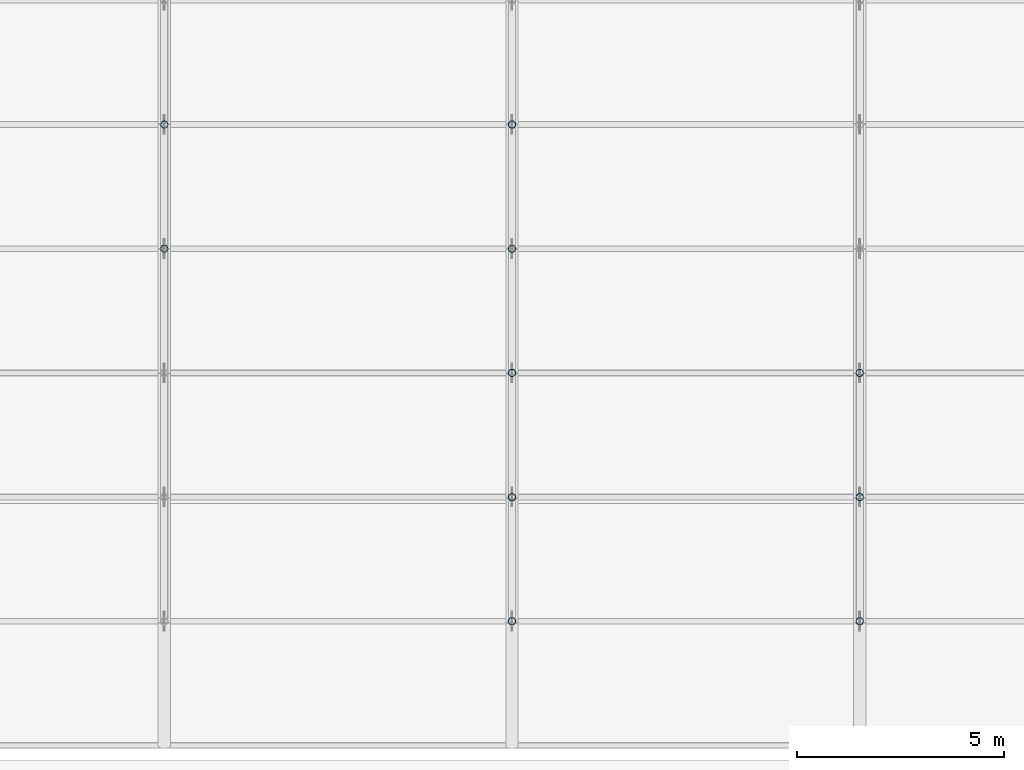
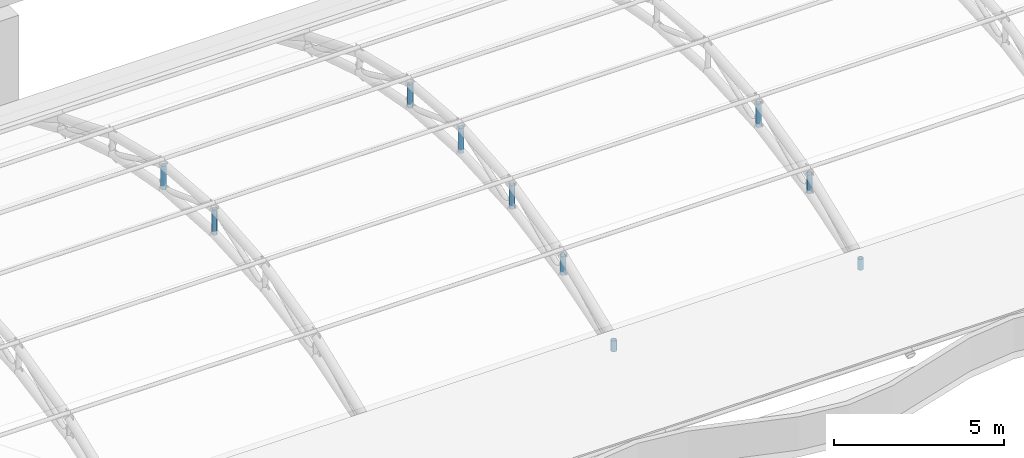
# One storey, part 83 of 163: 10 members.
"""IFC4 building model written with IfcOpenShell, lengths in metres."""

from ifc_helpers import new_model, si_unit, direction, frame, origin, origin_2d, place, context, subcontext, project, spatial, hollow_circle, extrude, material, material_profile, profile_set, type_object, element, save


model = new_model("IFC4")

# Units and contexts
model_context = context("Model", 3, precision=1e-05, world=origin(), true_north=direction((0.0, 1.0)))
body_context = subcontext(model_context, "Body", "Model", "MODEL_VIEW")
ifc_project = project(units=[si_unit("LENGTHUNIT", "METRE"), si_unit("AREAUNIT", "SQUARE_METRE"), si_unit("VOLUMEUNIT", "CUBIC_METRE"), si_unit("PLANEANGLEUNIT", "RADIAN"), si_unit("MASSUNIT", "GRAM", prefix="KILO")], contexts=[model_context])

# Site, building, storey
site_placement = place(None, origin())
site = spatial("IfcSite", under=ifc_project, at=site_placement, CompositionType="ELEMENT")
building_placement = place(site_placement, origin())
building = spatial("IfcBuilding", under=site, at=building_placement, Name="Rain Tree Exposition and Congress Centre", CompositionType="ELEMENT")
storey_placement = place(building_placement, frame((0.0, 0.0, 10.5)))
storey = spatial("IfcBuildingStorey", under=building, at=storey_placement, Name="L02", CompositionType="ELEMENT", Elevation=10.5)

# Members
ifc_material = material(Name="Steel S355J2H", Category="steel")
ifc_material_profile = material_profile(ifc_material, hollow_circle(Radius=0.090087890625, WallThickness=0.008056640625, at=origin_2d()), Name="CHS 180x8")
ifc_profile_set = profile_set([ifc_material_profile], Name="Steel S355J2H")
member_type = type_object("IfcMemberType", Name="Steel post member CHS 180x8", PredefinedType="POST", material=ifc_profile_set)
member_1_placement = place(storey_placement, frame((159.60009765625, 87.60009765625, 3.1298828125), z_axis=(0.0, 0.0, 1.0), x_axis=(1.0, 0.0, 0.0)))
element("IfcMember", 1, at=member_1_placement, inside=storey, type_object=member_type, Name="Roof truss 20 post 4", PredefinedType="POST", context=body_context, shape_type="SweptSolid", body=[
    extrude(hollow_circle(Radius=0.090087890625, WallThickness=0.008056640625, at=origin_2d()), origin(), (0.0, 0.0, 1.0), 0.900146484375),
])
member_2_placement = place(storey_placement, frame((159.60009765625, 90.60009765625, 2.9423828125), z_axis=(0.0, 0.0, 1.0), x_axis=(1.0, 0.0, 0.0)))
element("IfcMember", 2, at=member_2_placement, inside=storey, type_object=member_type, Name="Roof truss 20 post 5", PredefinedType="POST", context=body_context, shape_type="SweptSolid", body=[
    extrude(hollow_circle(Radius=0.090087890625, WallThickness=0.008056640625, at=origin_2d()), origin(), (0.0, 0.0, 1.0), 0.843994140625),
])
member_3_placement = place(storey_placement, frame((168.0, 78.60009765625, 1.4423828125), z_axis=(0.0, 0.0, 1.0), x_axis=(1.0, 0.0, 0.0)))
element("IfcMember", 3, at=member_3_placement, inside=storey, type_object=member_type, Name="Roof truss 21 post 1", PredefinedType="POST", context=body_context, shape_type="SweptSolid", body=[
    extrude(hollow_circle(Radius=0.090087890625, WallThickness=0.008056640625, at=origin_2d()), origin(), (0.0, 0.0, 1.0), 0.393798828125),
])
member_4_placement = place(storey_placement, frame((168.0, 81.60009765625, 2.3798828125), z_axis=(0.0, 0.0, 1.0), x_axis=(1.0, 0.0, 0.0)))
element("IfcMember", 4, at=member_4_placement, inside=storey, type_object=member_type, Name="Roof truss 21 post 2", PredefinedType="POST", context=body_context, shape_type="SweptSolid", body=[
    extrude(hollow_circle(Radius=0.090087890625, WallThickness=0.008056640625, at=origin_2d()), origin(), (0.0, 0.0, 1.0), 0.675048828125),
])
member_5_placement = place(storey_placement, frame((168.0, 84.60009765625, 2.9423828125), z_axis=(0.0, 0.0, 1.0), x_axis=(1.0, 0.0, 0.0)))
element("IfcMember", 5, at=member_5_placement, inside=storey, type_object=member_type, Name="Roof truss 21 post 3", PredefinedType="POST", context=body_context, shape_type="SweptSolid", body=[
    extrude(hollow_circle(Radius=0.090087890625, WallThickness=0.008056640625, at=origin_2d()), origin(), (0.0, 0.0, 1.0), 0.843994140625),
])
member_6_placement = place(storey_placement, frame((168.0, 87.60009765625, 3.1298828125), z_axis=(0.0, 0.0, 1.0), x_axis=(1.0, 0.0, 0.0)))
element("IfcMember", 6, at=member_6_placement, inside=storey, type_object=member_type, Name="Roof truss 21 post 4", PredefinedType="POST", context=body_context, shape_type="SweptSolid", body=[
    extrude(hollow_circle(Radius=0.090087890625, WallThickness=0.008056640625, at=origin_2d()), origin(), (0.0, 0.0, 1.0), 0.900146484375),
])
member_7_placement = place(storey_placement, frame((168.0, 90.60009765625, 2.9423828125), z_axis=(0.0, 0.0, 1.0), x_axis=(1.0, 0.0, 0.0)))
element("IfcMember", 7, at=member_7_placement, inside=storey, type_object=member_type, Name="Roof truss 21 post 5", PredefinedType="POST", context=body_context, shape_type="SweptSolid", body=[
    extrude(hollow_circle(Radius=0.090087890625, WallThickness=0.008056640625, at=origin_2d()), origin(), (0.0, 0.0, 1.0), 0.843994140625),
])
member_8_placement = place(storey_placement, frame((176.39990234375, 78.60009765625, 1.4423828125), z_axis=(0.0, 0.0, 1.0), x_axis=(1.0, 0.0, 0.0)))
element("IfcMember", 8, at=member_8_placement, inside=storey, type_object=member_type, Name="Roof truss 22 post 1", PredefinedType="POST", context=body_context, shape_type="SweptSolid", body=[
    extrude(hollow_circle(Radius=0.090087890625, WallThickness=0.008056640625, at=origin_2d()), origin(), (0.0, 0.0, 1.0), 0.393798828125),
])
member_9_placement = place(storey_placement, frame((176.39990234375, 81.60009765625, 2.3798828125), z_axis=(0.0, 0.0, 1.0), x_axis=(1.0, 0.0, 0.0)))
element("IfcMember", 9, at=member_9_placement, inside=storey, type_object=member_type, Name="Roof truss 22 post 2", PredefinedType="POST", context=body_context, shape_type="SweptSolid", body=[
    extrude(hollow_circle(Radius=0.090087890625, WallThickness=0.008056640625, at=origin_2d()), origin(), (0.0, 0.0, 1.0), 0.675048828125),
])
member_10_placement = place(storey_placement, frame((176.39990234375, 84.60009765625, 2.9423828125), z_axis=(0.0, 0.0, 1.0), x_axis=(1.0, 0.0, 0.0)))
element("IfcMember", 10, at=member_10_placement, inside=storey, type_object=member_type, Name="Roof truss 22 post 3", PredefinedType="POST", context=body_context, shape_type="SweptSolid", body=[
    extrude(hollow_circle(Radius=0.090087890625, WallThickness=0.008056640625, at=origin_2d()), origin(), (0.0, 0.0, 1.0), 0.843994140625),
])

save(model, "model.ifc")
